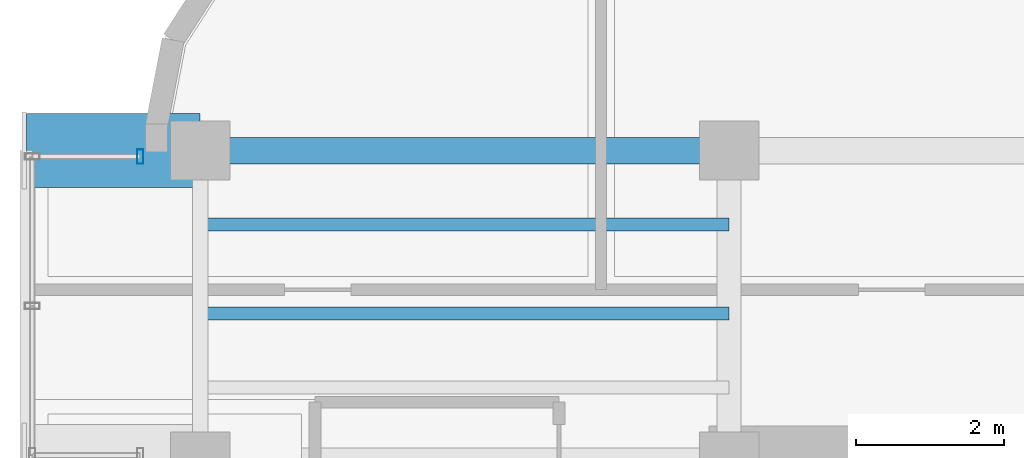
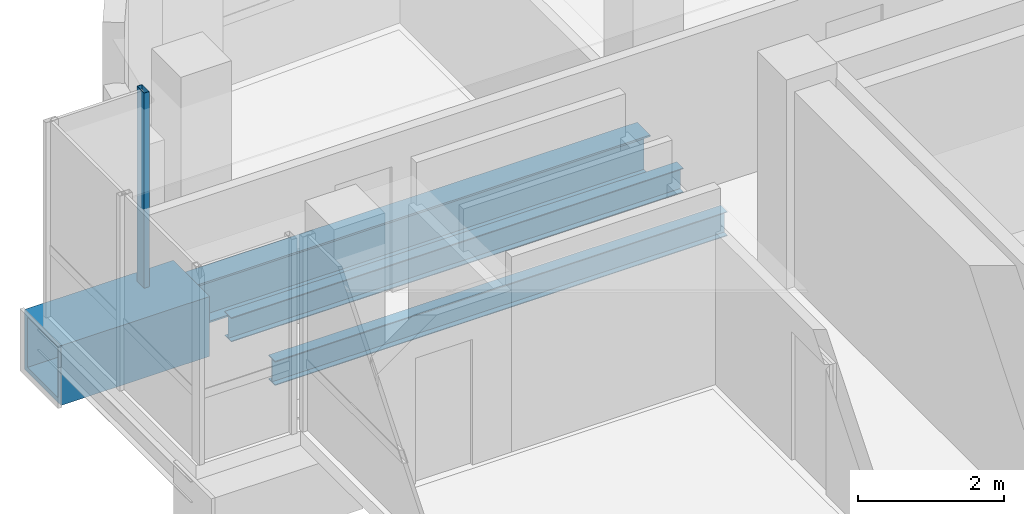
# One storey, part 8 of 21: 4 beams, 1 member, 1 element without a shape of its own.
"""IFC4 building model written with IfcOpenShell, lengths in metres."""

from ifc_helpers import new_model, si_unit, direction, frame, origin, origin_2d, place, context, subcontext, project, spatial, hollow_rectangle, i_section, extrude, source, transform, mapped, material, material_profile, profile_set, type_object, element, aggregate, save


model = new_model("IFC4")

# Units and contexts
model_context = context("Model", 3, precision=1e-05, world=origin(), true_north=direction((0.0, 1.0)))
body_context = subcontext(model_context, "Body", "Model", "MODEL_VIEW")
ifc_project = project(units=[si_unit("LENGTHUNIT", "METRE"), si_unit("AREAUNIT", "SQUARE_METRE"), si_unit("VOLUMEUNIT", "CUBIC_METRE"), si_unit("PLANEANGLEUNIT", "RADIAN"), si_unit("MASSUNIT", "GRAM", prefix="KILO")], contexts=[model_context])

# Site, building, storey
site_placement = place(None, origin())
site = spatial("IfcSite", under=ifc_project, at=site_placement, CompositionType="ELEMENT")
building_placement = place(site_placement, origin())
building = spatial("IfcBuilding", under=site, at=building_placement, Name="Valdorenza Pilgrim Sanctuary Tower", CompositionType="ELEMENT")
storey_placement = place(building_placement, frame((0.0, 0.0, 254.5)))
storey = spatial("IfcBuildingStorey", under=building, at=storey_placement, Name="L66", CompositionType="ELEMENT", Elevation=254.5)

# Beams
ifc_material_1 = material(Name="Steel ASTM A992 Grade 50", Category="steel")
ifc_material_profile_1 = material_profile(ifc_material_1, i_section(OverallWidth=0.35595703125, OverallDepth=0.700927734375, WebThickness=0.016845703125, FlangeThickness=0.02734375, at=origin_2d()), Name="W27X161")
ifc_profile_set_1 = profile_set([ifc_material_profile_1], Name="Steel ASTM A992 Grade 50")
beam_type_1 = type_object("IfcBeamType", Name="STR-BM-GRD-W27", PredefinedType="BEAM", material=ifc_profile_set_1)
shared_shape_1 = source(origin(), body_context, "Body", "SweptSolid", [
    extrude(i_section(OverallWidth=0.35595703125, OverallDepth=0.700927734375, WebThickness=0.016845703125, FlangeThickness=0.02734375, at=origin_2d()), origin(), (0.0, 0.0, 1.0), 7.150146484375),
])
beam_1_placement = place(storey_placement, frame((-29.800048828125, 14.800048828125, -0.590576171875), z_axis=(1.0, 0.0, 0.0), x_axis=(0.0, 1.0, 0.0)))
element("IfcBeam", 1, at=beam_1_placement, inside=storey, type_object=beam_type_1, Name="L66 Floor Girder WA-XW-N2", PredefinedType="BEAM", context=body_context, shape_type="MappedRepresentation", body=[
    mapped(shared_shape_1, transform((0.0, 0.0, 0.0), x_axis=(1.0, 0.0, 0.0), y_axis=(0.0, 1.0, 0.0), z_axis=(0.0, 0.0, 1.0), scale=1.0)),
])
ifc_material_profile_2 = material_profile(ifc_material_1, i_section(OverallWidth=0.177978515625, OverallDepth=0.406005859375, WebThickness=0.0078125, FlangeThickness=0.0126953125, at=origin_2d()), Name="W16X40")
ifc_profile_set_2 = profile_set([ifc_material_profile_2], Name="Steel ASTM A992 Grade 50")
beam_type_2 = type_object("IfcBeamType", Name="STR-BM-JST-W16", PredefinedType="JOIST", material=ifc_profile_set_2)
shared_shape_2 = source(origin(), body_context, "Body", "SweptSolid", [
    extrude(i_section(OverallWidth=0.177978515625, OverallDepth=0.406005859375, WebThickness=0.0078125, FlangeThickness=0.0126953125, at=origin_2d()), origin(), (0.0, 0.0, 1.0), 7.150146484375),
])
for number, where, z_axis, x_axis, name in (
    (2, (-29.800048828125, 12.60009765625, -0.443115234375), (1.0, 0.0, 0.0), (0.0, 1.0, 0.0), "L66 Composite Floor Joist JST-WA-25"),
    (3, (-29.800048828125, 13.800048828125, -0.443115234375), (1.0, 0.0, 0.0), (0.0, 1.0, 0.0), "L66 Composite Floor Joist JST-WA-26"),
):
    element("IfcBeam", number, at=place(storey_placement, frame(where, z_axis=z_axis, x_axis=x_axis)), inside=storey, type_object=beam_type_2, Name=name, PredefinedType="JOIST", context=body_context, shape_type="MappedRepresentation", body=[
        mapped(shared_shape_2, transform((0.0, 0.0, 0.0), x_axis=(1.0, 0.0, 0.0), y_axis=(0.0, 1.0, 0.0), z_axis=(0.0, 0.0, 1.0), scale=1.0)),
    ])
ifc_material_2 = material(Name="Steel ASTM A572 Grade 42", Category="steel")
ifc_material_profile_3 = material_profile(ifc_material_2, hollow_rectangle(XDim=1.0, YDim=1.0, WallThickness=0.080078125, at=origin_2d()), Name="BOX 1000x1000x80")
ifc_profile_set_3 = profile_set([ifc_material_profile_3], Name="Steel ASTM A572 Grade 42")
beam_type_3 = type_object("IfcBeamType", Name="STR-BM-PROW-CANT", PredefinedType="BEAM", material=ifc_profile_set_3)
shared_shape_3 = source(origin(), body_context, "Body", "SweptSolid", [
    extrude(hollow_rectangle(XDim=1.0, YDim=1.0, WallThickness=0.080078125, at=origin_2d()), origin(), (0.0, 0.0, 1.0), 2.349853515625),
])
beam_2_placement = place(storey_placement, frame((-29.800048828125, 14.800048828125, -0.739990234375), z_axis=(-1.0, 0.0, 0.0), x_axis=(0.0, -1.0, 0.0)))
element("IfcBeam", 4, at=beam_2_placement, inside=storey, type_object=beam_type_3, Name="L66 Glass Box Cantilever Beam BOX-WA-L66-CT-N", PredefinedType="BEAM", context=body_context, shape_type="MappedRepresentation", body=[
    mapped(shared_shape_3, transform((0.0, 0.0, 0.0), x_axis=(1.0, 0.0, 0.0), y_axis=(0.0, 1.0, 0.0), z_axis=(0.0, 0.0, 1.0), scale=1.0)),
])

# Curtain wall, member
ifc_material_3 = material(Name="Curtain-wall IGU glazing", Category="glass")
curtain_wall_type = type_object("IfcCurtainWallType", Name="CW-SYS-02", PredefinedType="NOTDEFINED", material=ifc_material_3)
curtain_wall_placement = place(storey_placement, origin())
curtain_wall = element("IfcCurtainWall", 5, at=curtain_wall_placement, inside=storey, type_object=curtain_wall_type, Name="L66 Curtain Wall CW-L66-BOX-WA-L66-N", PredefinedType="NOTDEFINED")
ifc_material_4 = material(Name="Anodised aluminium AW-6060", Category="aluminium")
ifc_material_profile_4 = material_profile(ifc_material_4, hollow_rectangle(XDim=0.0849609375, YDim=0.199951171875, WallThickness=0.0048828125, at=origin_2d()), Name="ALU-M 200x85x5")
ifc_profile_set_4 = profile_set([ifc_material_profile_4], Name="Anodised aluminium AW-6060")
member_type = type_object("IfcMemberType", Name="CW-MUL-02", PredefinedType="MULLION", material=ifc_profile_set_4)
shared_shape_4 = source(origin(), body_context, "Body", "SweptSolid", [
    extrude(hollow_rectangle(XDim=0.0849609375, YDim=0.199951171875, WallThickness=0.0048828125, at=origin_2d()), origin(), (0.0, 0.0, 1.0), 3.260009765625),
])
member_placement = place(storey_placement, frame((-30.610107421875, 14.719970703125, 0.0), z_axis=(0.0, 0.0, 1.0), x_axis=(1.0, 0.0, 0.0)))
member = element("IfcMember", 6, at=member_placement, type_object=member_type, Name="CW-L66-BOX-WA-L66-N Mullion 2", PredefinedType="MULLION", context=body_context, shape_type="MappedRepresentation", body=[
    mapped(shared_shape_4, transform((0.0, 0.0, 0.0), x_axis=(1.0, 0.0, 0.0), y_axis=(0.0, 1.0, 0.0), z_axis=(0.0, 0.0, 1.0), scale=1.0)),
])
aggregate(curtain_wall, [member])

save(model, "model.ifc")
